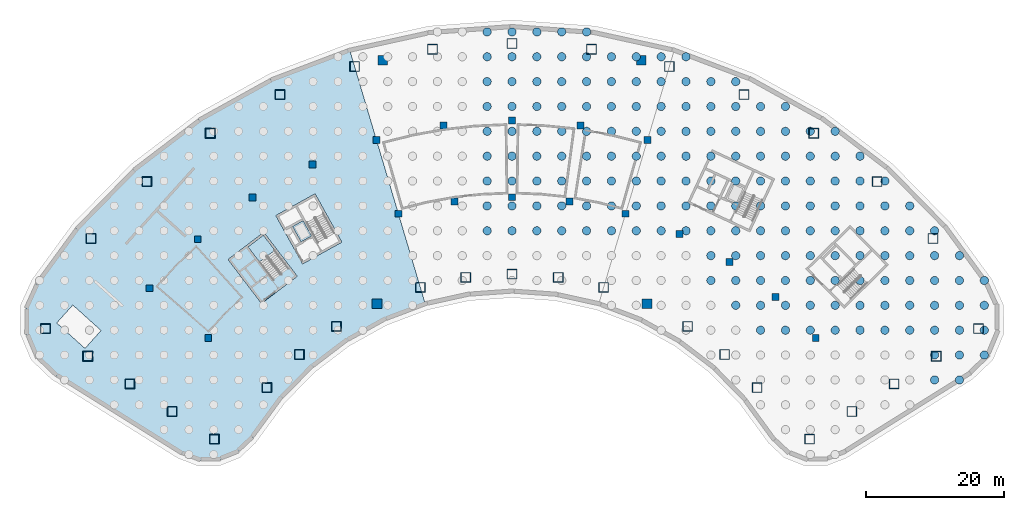
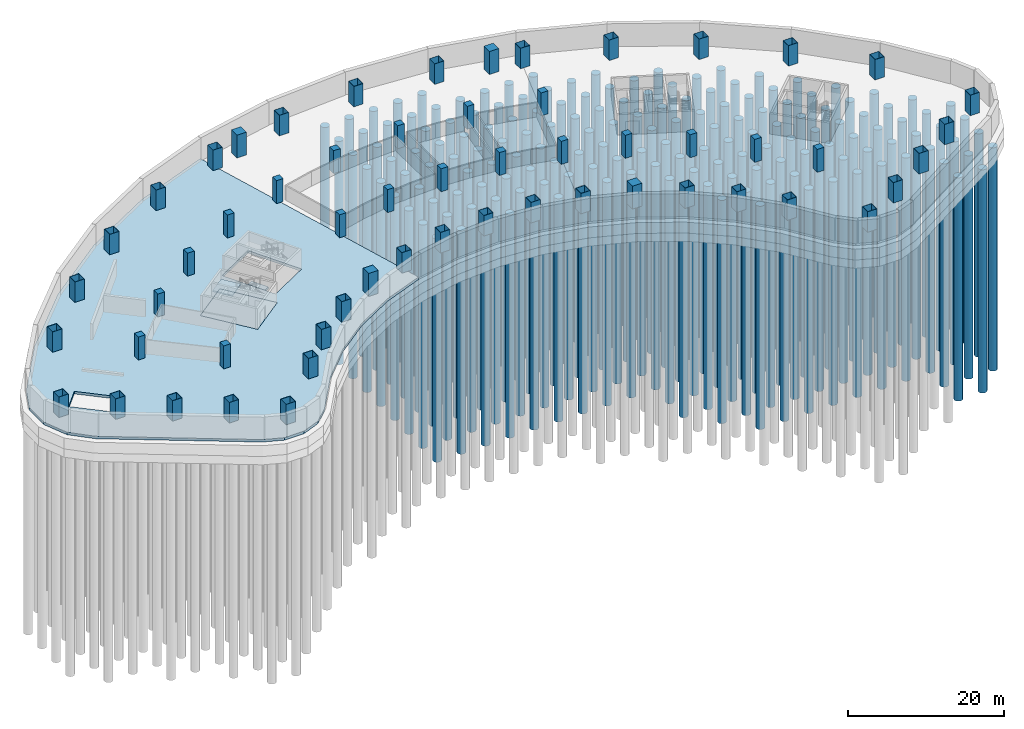
# One storey, part 2 of 10: 172 piles, 57 columns, 4 slabs, 1 element without a shape of its own.
"""IFC4 building model written with IfcOpenShell, lengths in metres."""

from ifc_helpers import new_model, si_unit, direction, frame, origin, origin_2d, place, context, subcontext, project, spatial, polyline, rectangle, hollow_rectangle, circle, outline, extrude, material, layer, layer_set, material_profile, profile_set, type_object, element, aggregate, save


model = new_model("IFC4")

# Units and contexts
model_context = context("Model", 3, precision=1e-05, world=origin(), true_north=direction((0.0, 1.0)))
body_context = subcontext(model_context, "Body", "Model", "MODEL_VIEW")
ifc_project = project(units=[si_unit("LENGTHUNIT", "METRE"), si_unit("AREAUNIT", "SQUARE_METRE"), si_unit("VOLUMEUNIT", "CUBIC_METRE"), si_unit("PLANEANGLEUNIT", "RADIAN"), si_unit("MASSUNIT", "GRAM", prefix="KILO")], contexts=[model_context])

# Site, building, storey
site_placement = place(None, origin())
site = spatial("IfcSite", under=ifc_project, at=site_placement, CompositionType="ELEMENT")
building_placement = place(site_placement, origin())
building = spatial("IfcBuilding", under=site, at=building_placement, Name="Tuul Gate Civic Tower", CompositionType="ELEMENT")
storey_placement = place(building_placement, frame((0.0, 0.0, -11.699951171875)))
storey = spatial("IfcBuildingStorey", under=building, at=storey_placement, Name="Basement 3", CompositionType="ELEMENT", Elevation=-11.699951171875)

# Piles
ifc_material_1 = material(Name="Concrete C50/60", Category="concrete")
ifc_material_profile_1 = material_profile(ifc_material_1, circle(Radius=0.60009765625, at=origin_2d()), Name="PILE1200")
ifc_profile_set_1 = profile_set([ifc_material_profile_1], Name="Concrete C50/60")
pile_type = type_object("IfcPileType", Name="STR-BORED-PILE-D1200", PredefinedType="BORED", material=ifc_profile_set_1)
for number, where, z_axis, x_axis, name in (
    (1, (-3.60009765625, -7.199951171875, -3.25), (0.0, 0.0, -1.0), (1.0, 0.0, 0.0), "B3/pile/0199"),
    (2, (-3.60009765625, -3.60009765625, -3.25), (0.0, 0.0, -1.0), (1.0, 0.0, 0.0), "B3/pile/0200"),
    (3, (-3.60009765625, 0.0, -3.25), (0.0, 0.0, -1.0), (1.0, 0.0, 0.0), "B3/pile/0201"),
    (4, (-3.60009765625, 3.60009765625, -3.25), (0.0, 0.0, -1.0), (1.0, 0.0, 0.0), "B3/pile/0202"),
    (5, (-3.60009765625, 7.199951171875, -3.25), (0.0, 0.0, -1.0), (1.0, 0.0, 0.0), "B3/pile/0203"),
    (6, (-3.60009765625, 10.800048828125, -3.25), (0.0, 0.0, -1.0), (1.0, 0.0, 0.0), "B3/pile/0204"),
    (7, (-3.60009765625, 14.39990234375, -3.25), (0.0, 0.0, -1.0), (1.0, 0.0, 0.0), "B3/pile/0205"),
    (8, (-3.60009765625, 18.0, -3.25), (0.0, 0.0, -1.0), (1.0, 0.0, 0.0), "B3/pile/0206"),
    (9, (-3.60009765625, 21.60009765625, -3.25), (0.0, 0.0, -1.0), (1.0, 0.0, 0.0), "B3/pile/0207"),
    (10, (0.0, -7.199951171875, -3.25), (0.0, 0.0, -1.0), (1.0, 0.0, 0.0), "B3/pile/0210"),
    (11, (0.0, -3.60009765625, -3.25), (0.0, 0.0, -1.0), (1.0, 0.0, 0.0), "B3/pile/0211"),
    (12, (0.0, 0.0, -3.25), (0.0, 0.0, -1.0), (1.0, 0.0, 0.0), "B3/pile/0212"),
    (13, (0.0, 3.60009765625, -3.25), (0.0, 0.0, -1.0), (1.0, 0.0, 0.0), "B3/pile/0213"),
    (14, (0.0, 7.199951171875, -3.25), (0.0, 0.0, -1.0), (1.0, 0.0, 0.0), "B3/pile/0214"),
    (15, (0.0, 10.800048828125, -3.25), (0.0, 0.0, -1.0), (1.0, 0.0, 0.0), "B3/pile/0215"),
    (16, (0.0, 14.39990234375, -3.25), (0.0, 0.0, -1.0), (1.0, 0.0, 0.0), "B3/pile/0216"),
    (17, (0.0, 18.0, -3.25), (0.0, 0.0, -1.0), (1.0, 0.0, 0.0), "B3/pile/0217"),
    (18, (0.0, 21.60009765625, -3.25), (0.0, 0.0, -1.0), (1.0, 0.0, 0.0), "B3/pile/0218"),
    (19, (3.60009765625, -7.199951171875, -3.25), (0.0, 0.0, -1.0), (1.0, 0.0, 0.0), "B3/pile/0221"),
    (20, (3.60009765625, -3.60009765625, -3.25), (0.0, 0.0, -1.0), (1.0, 0.0, 0.0), "B3/pile/0222"),
    (21, (3.60009765625, 0.0, -3.25), (0.0, 0.0, -1.0), (1.0, 0.0, 0.0), "B3/pile/0223"),
    (22, (3.60009765625, 3.60009765625, -3.25), (0.0, 0.0, -1.0), (1.0, 0.0, 0.0), "B3/pile/0224"),
    (23, (3.60009765625, 7.199951171875, -3.25), (0.0, 0.0, -1.0), (1.0, 0.0, 0.0), "B3/pile/0225"),
    (24, (3.60009765625, 10.800048828125, -3.25), (0.0, 0.0, -1.0), (1.0, 0.0, 0.0), "B3/pile/0226"),
    (25, (3.60009765625, 14.39990234375, -3.25), (0.0, 0.0, -1.0), (1.0, 0.0, 0.0), "B3/pile/0227"),
    (26, (3.60009765625, 18.0, -3.25), (0.0, 0.0, -1.0), (1.0, 0.0, 0.0), "B3/pile/0228"),
    (27, (3.60009765625, 21.60009765625, -3.25), (0.0, 0.0, -1.0), (1.0, 0.0, 0.0), "B3/pile/0229"),
    (28, (7.199951171875, -7.199951171875, -3.25), (0.0, 0.0, -1.0), (1.0, 0.0, 0.0), "B3/pile/0232"),
    (29, (7.199951171875, -3.60009765625, -3.25), (0.0, 0.0, -1.0), (1.0, 0.0, 0.0), "B3/pile/0233"),
    (30, (7.199951171875, 0.0, -3.25), (0.0, 0.0, -1.0), (1.0, 0.0, 0.0), "B3/pile/0234"),
    (31, (7.199951171875, 3.60009765625, -3.25), (0.0, 0.0, -1.0), (1.0, 0.0, 0.0), "B3/pile/0235"),
    (32, (7.199951171875, 7.199951171875, -3.25), (0.0, 0.0, -1.0), (1.0, 0.0, 0.0), "B3/pile/0236"),
    (33, (7.199951171875, 10.800048828125, -3.25), (0.0, 0.0, -1.0), (1.0, 0.0, 0.0), "B3/pile/0237"),
    (34, (7.199951171875, 14.39990234375, -3.25), (0.0, 0.0, -1.0), (1.0, 0.0, 0.0), "B3/pile/0238"),
    (35, (7.199951171875, 18.0, -3.25), (0.0, 0.0, -1.0), (1.0, 0.0, 0.0), "B3/pile/0239"),
    (36, (7.199951171875, 21.60009765625, -3.25), (0.0, 0.0, -1.0), (1.0, 0.0, 0.0), "B3/pile/0240"),
    (37, (10.800048828125, -7.199951171875, -3.25), (0.0, 0.0, -1.0), (1.0, 0.0, 0.0), "B3/pile/0243"),
    (38, (10.800048828125, -3.60009765625, -3.25), (0.0, 0.0, -1.0), (1.0, 0.0, 0.0), "B3/pile/0244"),
    (39, (10.800048828125, 0.0, -3.25), (0.0, 0.0, -1.0), (1.0, 0.0, 0.0), "B3/pile/0245"),
    (40, (10.800048828125, 3.60009765625, -3.25), (0.0, 0.0, -1.0), (1.0, 0.0, 0.0), "B3/pile/0246"),
    (41, (10.800048828125, 7.199951171875, -3.25), (0.0, 0.0, -1.0), (1.0, 0.0, 0.0), "B3/pile/0247"),
    (42, (10.800048828125, 10.800048828125, -3.25), (0.0, 0.0, -1.0), (1.0, 0.0, 0.0), "B3/pile/0248"),
    (43, (10.800048828125, 14.39990234375, -3.25), (0.0, 0.0, -1.0), (1.0, 0.0, 0.0), "B3/pile/0249"),
    (44, (10.800048828125, 18.0, -3.25), (0.0, 0.0, -1.0), (1.0, 0.0, 0.0), "B3/pile/0250"),
    (45, (10.800048828125, 21.60009765625, -3.25), (0.0, 0.0, -1.0), (1.0, 0.0, 0.0), "B3/pile/0251"),
    (46, (14.39990234375, -7.199951171875, -3.25), (0.0, 0.0, -1.0), (1.0, 0.0, 0.0), "B3/pile/0255"),
    (47, (14.39990234375, -3.60009765625, -3.25), (0.0, 0.0, -1.0), (1.0, 0.0, 0.0), "B3/pile/0256"),
    (48, (14.39990234375, 0.0, -3.25), (0.0, 0.0, -1.0), (1.0, 0.0, 0.0), "B3/pile/0257"),
    (49, (14.39990234375, 3.60009765625, -3.25), (0.0, 0.0, -1.0), (1.0, 0.0, 0.0), "B3/pile/0258"),
    (50, (14.39990234375, 7.199951171875, -3.25), (0.0, 0.0, -1.0), (1.0, 0.0, 0.0), "B3/pile/0259"),
    (51, (14.39990234375, 10.800048828125, -3.25), (0.0, 0.0, -1.0), (1.0, 0.0, 0.0), "B3/pile/0260"),
    (52, (14.39990234375, 14.39990234375, -3.25), (0.0, 0.0, -1.0), (1.0, 0.0, 0.0), "B3/pile/0261"),
    (53, (14.39990234375, 18.0, -3.25), (0.0, 0.0, -1.0), (1.0, 0.0, 0.0), "B3/pile/0262"),
    (54, (18.0, -7.199951171875, -3.25), (0.0, 0.0, -1.0), (1.0, 0.0, 0.0), "B3/pile/0266"),
    (55, (18.0, -3.60009765625, -3.25), (0.0, 0.0, -1.0), (1.0, 0.0, 0.0), "B3/pile/0267"),
    (56, (18.0, 0.0, -3.25), (0.0, 0.0, -1.0), (1.0, 0.0, 0.0), "B3/pile/0268"),
    (57, (18.0, 3.60009765625, -3.25), (0.0, 0.0, -1.0), (1.0, 0.0, 0.0), "B3/pile/0269"),
    (58, (18.0, 7.199951171875, -3.25), (0.0, 0.0, -1.0), (1.0, 0.0, 0.0), "B3/pile/0270"),
    (59, (18.0, 10.800048828125, -3.25), (0.0, 0.0, -1.0), (1.0, 0.0, 0.0), "B3/pile/0271"),
    (60, (18.0, 14.39990234375, -3.25), (0.0, 0.0, -1.0), (1.0, 0.0, 0.0), "B3/pile/0272"),
    (61, (18.0, 18.0, -3.25), (0.0, 0.0, -1.0), (1.0, 0.0, 0.0), "B3/pile/0273"),
    (62, (21.60009765625, -7.199951171875, -3.25), (0.0, 0.0, -1.0), (1.0, 0.0, 0.0), "B3/pile/0278"),
    (63, (21.60009765625, -3.60009765625, -3.25), (0.0, 0.0, -1.0), (1.0, 0.0, 0.0), "B3/pile/0279"),
    (64, (21.60009765625, 0.0, -3.25), (0.0, 0.0, -1.0), (1.0, 0.0, 0.0), "B3/pile/0280"),
    (65, (21.60009765625, 3.60009765625, -3.25), (0.0, 0.0, -1.0), (1.0, 0.0, 0.0), "B3/pile/0281"),
    (66, (21.60009765625, 7.199951171875, -3.25), (0.0, 0.0, -1.0), (1.0, 0.0, 0.0), "B3/pile/0282"),
    (67, (21.60009765625, 10.800048828125, -3.25), (0.0, 0.0, -1.0), (1.0, 0.0, 0.0), "B3/pile/0283"),
    (68, (21.60009765625, 14.39990234375, -3.25), (0.0, 0.0, -1.0), (1.0, 0.0, 0.0), "B3/pile/0284"),
    (69, (21.60009765625, 18.0, -3.25), (0.0, 0.0, -1.0), (1.0, 0.0, 0.0), "B3/pile/0285"),
    (70, (25.199951171875, -7.199951171875, -3.25), (0.0, 0.0, -1.0), (1.0, 0.0, 0.0), "B3/pile/0290"),
    (71, (25.199951171875, -3.60009765625, -3.25), (0.0, 0.0, -1.0), (1.0, 0.0, 0.0), "B3/pile/0291"),
    (72, (25.199951171875, 0.0, -3.25), (0.0, 0.0, -1.0), (1.0, 0.0, 0.0), "B3/pile/0292"),
    (73, (25.199951171875, 3.60009765625, -3.25), (0.0, 0.0, -1.0), (1.0, 0.0, 0.0), "B3/pile/0293"),
    (74, (25.199951171875, 7.199951171875, -3.25), (0.0, 0.0, -1.0), (1.0, 0.0, 0.0), "B3/pile/0294"),
    (75, (25.199951171875, 10.800048828125, -3.25), (0.0, 0.0, -1.0), (1.0, 0.0, 0.0), "B3/pile/0295"),
    (76, (25.199951171875, 14.39990234375, -3.25), (0.0, 0.0, -1.0), (1.0, 0.0, 0.0), "B3/pile/0296"),
    (77, (25.199951171875, 18.0, -3.25), (0.0, 0.0, -1.0), (1.0, 0.0, 0.0), "B3/pile/0297"),
    (78, (28.800048828125, -14.39990234375, -3.25), (0.0, 0.0, -1.0), (1.0, 0.0, 0.0), "B3/pile/0301"),
    (79, (28.800048828125, -10.800048828125, -3.25), (0.0, 0.0, -1.0), (1.0, 0.0, 0.0), "B3/pile/0302"),
    (80, (28.800048828125, -7.199951171875, -3.25), (0.0, 0.0, -1.0), (1.0, 0.0, 0.0), "B3/pile/0303"),
    (81, (28.800048828125, -3.60009765625, -3.25), (0.0, 0.0, -1.0), (1.0, 0.0, 0.0), "B3/pile/0304"),
    (82, (28.800048828125, 0.0, -3.25), (0.0, 0.0, -1.0), (1.0, 0.0, 0.0), "B3/pile/0305"),
    (83, (28.800048828125, 3.60009765625, -3.25), (0.0, 0.0, -1.0), (1.0, 0.0, 0.0), "B3/pile/0306"),
    (84, (28.800048828125, 7.199951171875, -3.25), (0.0, 0.0, -1.0), (1.0, 0.0, 0.0), "B3/pile/0307"),
    (85, (28.800048828125, 10.800048828125, -3.25), (0.0, 0.0, -1.0), (1.0, 0.0, 0.0), "B3/pile/0308"),
    (86, (28.800048828125, 14.39990234375, -3.25), (0.0, 0.0, -1.0), (1.0, 0.0, 0.0), "B3/pile/0309"),
    (87, (32.39990234375, -18.0, -3.25), (0.0, 0.0, -1.0), (1.0, 0.0, 0.0), "B3/pile/0313"),
    (88, (32.39990234375, -14.39990234375, -3.25), (0.0, 0.0, -1.0), (1.0, 0.0, 0.0), "B3/pile/0314"),
    (89, (32.39990234375, -10.800048828125, -3.25), (0.0, 0.0, -1.0), (1.0, 0.0, 0.0), "B3/pile/0315"),
    (90, (32.39990234375, -7.199951171875, -3.25), (0.0, 0.0, -1.0), (1.0, 0.0, 0.0), "B3/pile/0316"),
    (91, (32.39990234375, -3.60009765625, -3.25), (0.0, 0.0, -1.0), (1.0, 0.0, 0.0), "B3/pile/0317"),
    (92, (32.39990234375, 0.0, -3.25), (0.0, 0.0, -1.0), (1.0, 0.0, 0.0), "B3/pile/0318"),
    (93, (32.39990234375, 3.60009765625, -3.25), (0.0, 0.0, -1.0), (1.0, 0.0, 0.0), "B3/pile/0319"),
    (94, (32.39990234375, 7.199951171875, -3.25), (0.0, 0.0, -1.0), (1.0, 0.0, 0.0), "B3/pile/0320"),
    (95, (32.39990234375, 10.800048828125, -3.25), (0.0, 0.0, -1.0), (1.0, 0.0, 0.0), "B3/pile/0321"),
    (96, (32.39990234375, 14.39990234375, -3.25), (0.0, 0.0, -1.0), (1.0, 0.0, 0.0), "B3/pile/0322"),
    (97, (36.0, -21.60009765625, -3.25), (0.0, 0.0, -1.0), (1.0, 0.0, 0.0), "B3/pile/0326"),
    (98, (36.0, -18.0, -3.25), (0.0, 0.0, -1.0), (1.0, 0.0, 0.0), "B3/pile/0327"),
    (99, (36.0, -14.39990234375, -3.25), (0.0, 0.0, -1.0), (1.0, 0.0, 0.0), "B3/pile/0328"),
    (100, (36.0, -10.800048828125, -3.25), (0.0, 0.0, -1.0), (1.0, 0.0, 0.0), "B3/pile/0329"),
    (101, (36.0, -7.199951171875, -3.25), (0.0, 0.0, -1.0), (1.0, 0.0, 0.0), "B3/pile/0330"),
    (102, (36.0, -3.60009765625, -3.25), (0.0, 0.0, -1.0), (1.0, 0.0, 0.0), "B3/pile/0331"),
    (103, (36.0, 0.0, -3.25), (0.0, 0.0, -1.0), (1.0, 0.0, 0.0), "B3/pile/0332"),
    (104, (36.0, 3.60009765625, -3.25), (0.0, 0.0, -1.0), (1.0, 0.0, 0.0), "B3/pile/0333"),
    (105, (36.0, 7.199951171875, -3.25), (0.0, 0.0, -1.0), (1.0, 0.0, 0.0), "B3/pile/0334"),
    (106, (36.0, 10.800048828125, -3.25), (0.0, 0.0, -1.0), (1.0, 0.0, 0.0), "B3/pile/0335"),
    (107, (39.60009765625, -21.60009765625, -3.25), (0.0, 0.0, -1.0), (1.0, 0.0, 0.0), "B3/pile/0340"),
    (108, (39.60009765625, -18.0, -3.25), (0.0, 0.0, -1.0), (1.0, 0.0, 0.0), "B3/pile/0341"),
    (109, (39.60009765625, -14.39990234375, -3.25), (0.0, 0.0, -1.0), (1.0, 0.0, 0.0), "B3/pile/0342"),
    (110, (39.60009765625, -10.800048828125, -3.25), (0.0, 0.0, -1.0), (1.0, 0.0, 0.0), "B3/pile/0343"),
    (111, (39.60009765625, -7.199951171875, -3.25), (0.0, 0.0, -1.0), (1.0, 0.0, 0.0), "B3/pile/0344"),
    (112, (39.60009765625, -3.60009765625, -3.25), (0.0, 0.0, -1.0), (1.0, 0.0, 0.0), "B3/pile/0345"),
    (113, (39.60009765625, 0.0, -3.25), (0.0, 0.0, -1.0), (1.0, 0.0, 0.0), "B3/pile/0346"),
    (114, (39.60009765625, 3.60009765625, -3.25), (0.0, 0.0, -1.0), (1.0, 0.0, 0.0), "B3/pile/0347"),
    (115, (39.60009765625, 7.199951171875, -3.25), (0.0, 0.0, -1.0), (1.0, 0.0, 0.0), "B3/pile/0348"),
    (116, (39.60009765625, 10.800048828125, -3.25), (0.0, 0.0, -1.0), (1.0, 0.0, 0.0), "B3/pile/0349"),
    (117, (43.199951171875, -21.60009765625, -3.25), (0.0, 0.0, -1.0), (1.0, 0.0, 0.0), "B3/pile/0355"),
    (118, (43.199951171875, -18.0, -3.25), (0.0, 0.0, -1.0), (1.0, 0.0, 0.0), "B3/pile/0356"),
    (119, (43.199951171875, -14.39990234375, -3.25), (0.0, 0.0, -1.0), (1.0, 0.0, 0.0), "B3/pile/0357"),
    (120, (43.199951171875, -10.800048828125, -3.25), (0.0, 0.0, -1.0), (1.0, 0.0, 0.0), "B3/pile/0358"),
    (121, (43.199951171875, -7.199951171875, -3.25), (0.0, 0.0, -1.0), (1.0, 0.0, 0.0), "B3/pile/0359"),
    (122, (43.199951171875, -3.60009765625, -3.25), (0.0, 0.0, -1.0), (1.0, 0.0, 0.0), "B3/pile/0360"),
    (123, (43.199951171875, 0.0, -3.25), (0.0, 0.0, -1.0), (1.0, 0.0, 0.0), "B3/pile/0361"),
    (124, (43.199951171875, 3.60009765625, -3.25), (0.0, 0.0, -1.0), (1.0, 0.0, 0.0), "B3/pile/0362"),
    (125, (43.199951171875, 7.199951171875, -3.25), (0.0, 0.0, -1.0), (1.0, 0.0, 0.0), "B3/pile/0363"),
    (126, (46.800048828125, -21.60009765625, -3.25), (0.0, 0.0, -1.0), (1.0, 0.0, 0.0), "B3/pile/0369"),
    (127, (46.800048828125, -18.0, -3.25), (0.0, 0.0, -1.0), (1.0, 0.0, 0.0), "B3/pile/0370"),
    (128, (46.800048828125, -14.39990234375, -3.25), (0.0, 0.0, -1.0), (1.0, 0.0, 0.0), "B3/pile/0371"),
    (129, (46.800048828125, -10.800048828125, -3.25), (0.0, 0.0, -1.0), (1.0, 0.0, 0.0), "B3/pile/0372"),
    (130, (46.800048828125, -7.199951171875, -3.25), (0.0, 0.0, -1.0), (1.0, 0.0, 0.0), "B3/pile/0373"),
    (131, (46.800048828125, -3.60009765625, -3.25), (0.0, 0.0, -1.0), (1.0, 0.0, 0.0), "B3/pile/0374"),
    (132, (46.800048828125, 0.0, -3.25), (0.0, 0.0, -1.0), (1.0, 0.0, 0.0), "B3/pile/0375"),
    (133, (46.800048828125, 3.60009765625, -3.25), (0.0, 0.0, -1.0), (1.0, 0.0, 0.0), "B3/pile/0376"),
    (134, (46.800048828125, 7.199951171875, -3.25), (0.0, 0.0, -1.0), (1.0, 0.0, 0.0), "B3/pile/0377"),
    (135, (50.39990234375, -21.60009765625, -3.25), (0.0, 0.0, -1.0), (1.0, 0.0, 0.0), "B3/pile/0382"),
    (136, (50.39990234375, -18.0, -3.25), (0.0, 0.0, -1.0), (1.0, 0.0, 0.0), "B3/pile/0383"),
    (137, (50.39990234375, -14.39990234375, -3.25), (0.0, 0.0, -1.0), (1.0, 0.0, 0.0), "B3/pile/0384"),
    (138, (50.39990234375, -10.800048828125, -3.25), (0.0, 0.0, -1.0), (1.0, 0.0, 0.0), "B3/pile/0385"),
    (139, (50.39990234375, -7.199951171875, -3.25), (0.0, 0.0, -1.0), (1.0, 0.0, 0.0), "B3/pile/0386"),
    (140, (50.39990234375, -3.60009765625, -3.25), (0.0, 0.0, -1.0), (1.0, 0.0, 0.0), "B3/pile/0387"),
    (141, (50.39990234375, 0.0, -3.25), (0.0, 0.0, -1.0), (1.0, 0.0, 0.0), "B3/pile/0388"),
    (142, (50.39990234375, 3.60009765625, -3.25), (0.0, 0.0, -1.0), (1.0, 0.0, 0.0), "B3/pile/0389"),
    (143, (54.0, -21.60009765625, -3.25), (0.0, 0.0, -1.0), (1.0, 0.0, 0.0), "B3/pile/0393"),
    (144, (54.0, -18.0, -3.25), (0.0, 0.0, -1.0), (1.0, 0.0, 0.0), "B3/pile/0394"),
    (145, (54.0, -14.39990234375, -3.25), (0.0, 0.0, -1.0), (1.0, 0.0, 0.0), "B3/pile/0395"),
    (146, (54.0, -10.800048828125, -3.25), (0.0, 0.0, -1.0), (1.0, 0.0, 0.0), "B3/pile/0396"),
    (147, (54.0, -7.199951171875, -3.25), (0.0, 0.0, -1.0), (1.0, 0.0, 0.0), "B3/pile/0397"),
    (148, (54.0, -3.60009765625, -3.25), (0.0, 0.0, -1.0), (1.0, 0.0, 0.0), "B3/pile/0398"),
    (149, (54.0, 0.0, -3.25), (0.0, 0.0, -1.0), (1.0, 0.0, 0.0), "B3/pile/0399"),
    (150, (57.60009765625, -21.60009765625, -3.25), (0.0, 0.0, -1.0), (1.0, 0.0, 0.0), "B3/pile/0403"),
    (151, (57.60009765625, -18.0, -3.25), (0.0, 0.0, -1.0), (1.0, 0.0, 0.0), "B3/pile/0404"),
    (152, (57.60009765625, -14.39990234375, -3.25), (0.0, 0.0, -1.0), (1.0, 0.0, 0.0), "B3/pile/0405"),
    (153, (57.60009765625, -10.800048828125, -3.25), (0.0, 0.0, -1.0), (1.0, 0.0, 0.0), "B3/pile/0406"),
    (154, (57.60009765625, -7.199951171875, -3.25), (0.0, 0.0, -1.0), (1.0, 0.0, 0.0), "B3/pile/0407"),
    (155, (57.60009765625, -3.60009765625, -3.25), (0.0, 0.0, -1.0), (1.0, 0.0, 0.0), "B3/pile/0408"),
    (156, (61.199951171875, -28.800048828125, -3.25), (0.0, 0.0, -1.0), (1.0, 0.0, 0.0), "B3/pile/0409"),
    (157, (61.199951171875, -25.199951171875, -3.25), (0.0, 0.0, -1.0), (1.0, 0.0, 0.0), "B3/pile/0410"),
    (158, (61.199951171875, -21.60009765625, -3.25), (0.0, 0.0, -1.0), (1.0, 0.0, 0.0), "B3/pile/0411"),
    (159, (61.199951171875, -18.0, -3.25), (0.0, 0.0, -1.0), (1.0, 0.0, 0.0), "B3/pile/0412"),
    (160, (61.199951171875, -14.39990234375, -3.25), (0.0, 0.0, -1.0), (1.0, 0.0, 0.0), "B3/pile/0413"),
    (161, (61.199951171875, -10.800048828125, -3.25), (0.0, 0.0, -1.0), (1.0, 0.0, 0.0), "B3/pile/0414"),
    (162, (61.199951171875, -7.199951171875, -3.25), (0.0, 0.0, -1.0), (1.0, 0.0, 0.0), "B3/pile/0415"),
    (163, (64.800048828125, -28.800048828125, -3.25), (0.0, 0.0, -1.0), (1.0, 0.0, 0.0), "B3/pile/0416"),
    (164, (64.800048828125, -25.199951171875, -3.25), (0.0, 0.0, -1.0), (1.0, 0.0, 0.0), "B3/pile/0417"),
    (165, (64.800048828125, -21.60009765625, -3.25), (0.0, 0.0, -1.0), (1.0, 0.0, 0.0), "B3/pile/0418"),
    (166, (64.800048828125, -18.0, -3.25), (0.0, 0.0, -1.0), (1.0, 0.0, 0.0), "B3/pile/0419"),
    (167, (64.800048828125, -14.39990234375, -3.25), (0.0, 0.0, -1.0), (1.0, 0.0, 0.0), "B3/pile/0420"),
    (168, (64.800048828125, -10.800048828125, -3.25), (0.0, 0.0, -1.0), (1.0, 0.0, 0.0), "B3/pile/0421"),
    (169, (68.39990234375, -25.199951171875, -3.25), (0.0, 0.0, -1.0), (1.0, 0.0, 0.0), "B3/pile/0422"),
    (170, (68.39990234375, -21.60009765625, -3.25), (0.0, 0.0, -1.0), (1.0, 0.0, 0.0), "B3/pile/0423"),
    (171, (68.39990234375, -18.0, -3.25), (0.0, 0.0, -1.0), (1.0, 0.0, 0.0), "B3/pile/0424"),
    (172, (68.39990234375, -14.39990234375, -3.25), (0.0, 0.0, -1.0), (1.0, 0.0, 0.0), "B3/pile/0425"),
):
    element("IfcPile", number, at=place(storey_placement, frame(where, z_axis=z_axis, x_axis=x_axis)), inside=storey, type_object=pile_type, Name=name, PredefinedType="BORED", context=body_context, shape_type="SweptSolid", body=[
        extrude(circle(Radius=0.60009765625, at=origin_2d()), origin(), (0.0, 0.0, 1.0), 35.0),
    ])

# Columns
ifc_material_2 = material(Name="Steel S355", Category="steel")
ifc_material_profile_2 = material_profile(ifc_material_2, hollow_rectangle(XDim=1.39990234375, YDim=1.39990234375, WallThickness=0.0400390625, at=origin_2d()), Name="BOX1400x1400x40")
ifc_profile_set_2 = profile_set([ifc_material_profile_2], Name="Steel S355")
column_type_1 = type_object("IfcColumnType", Name="STR-COLUMN-BOX1400x1400x40", PredefinedType="COLUMN", material=ifc_profile_set_2)
for number, where, z_axis, x_axis, name in (
    (173, (67.56201171875, -21.366943359375, 0.0), (0.0, 0.0, 1.0), (1.0, 0.0, 0.0), "Column"),
    (174, (60.9609375, -8.327880859375, 0.0), (0.0, 0.0, 1.0), (1.0, 0.0, 0.0), "Column"),
    (175, (52.8779296875, -0.08203125, 0.0), (0.0, 0.0, 1.0), (1.0, 0.0, 0.0), "Column"),
    (176, (43.69091796875, 6.9130859375, 0.0), (0.0, 0.0, 1.0), (1.0, 0.0, 0.0), "Column"),
    (177, (33.592041015625, 12.510986328125, 0.0), (0.0, 0.0, 1.0), (1.0, 0.0, 0.0), "Column"),
    (178, (22.7919921875, 16.594970703125, 0.0), (0.0, 0.0, 1.0), (1.0, 0.0, 0.0), "Column"),
    (179, (11.51611328125, 19.080078125, 0.0), (0.0, 0.0, 1.0), (1.0, 0.0, 0.0), "Column"),
    (180, (0.0, 19.9140625, 0.0), (0.0, 0.0, 1.0), (1.0, 0.0, 0.0), "Column"),
    (181, (-11.51611328125, 19.080078125, 0.0), (0.0, 0.0, 1.0), (1.0, 0.0, 0.0), "Column"),
    (182, (-22.7919921875, 16.594970703125, 0.0), (0.0, 0.0, 1.0), (1.0, 0.0, 0.0), "Column"),
    (183, (-33.592041015625, 12.510986328125, 0.0), (0.0, 0.0, 1.0), (1.0, 0.0, 0.0), "Column"),
    (184, (-43.69091796875, 6.9130859375, 0.0), (0.0, 0.0, 1.0), (1.0, 0.0, 0.0), "Column"),
    (185, (-52.8779296875, -0.08203125, 0.0), (0.0, 0.0, 1.0), (1.0, 0.0, 0.0), "Column"),
    (186, (-60.9609375, -8.327880859375, 0.0), (0.0, 0.0, 1.0), (1.0, 0.0, 0.0), "Column"),
    (187, (-67.56201171875, -21.366943359375, 0.0), (0.0, 0.0, 1.0), (1.0, 0.0, 0.0), "Column"),
    (188, (-61.447021484375, -25.368896484375, 0.0), (0.0, 0.0, 1.0), (1.0, 0.0, 0.0), "Column"),
    (189, (-55.33203125, -29.37109375, 0.0), (0.0, 0.0, 1.0), (1.0, 0.0, 0.0), "Column"),
    (190, (-49.218017578125, -33.3720703125, 0.0), (0.0, 0.0, 1.0), (1.0, 0.0, 0.0), "Column"),
    (191, (-43.10302734375, -37.3740234375, 0.0), (0.0, 0.0, 1.0), (1.0, 0.0, 0.0), "Column"),
    (192, (-35.491943359375, -29.916015625, 0.0), (0.0, 0.0, 1.0), (1.0, 0.0, 0.0), "Column"),
    (193, (-30.785888671875, -25.114990234375, 0.0), (0.0, 0.0, 1.0), (1.0, 0.0, 0.0), "Column"),
    (194, (-25.43798828125, -21.04296875, 0.0), (0.0, 0.0, 1.0), (1.0, 0.0, 0.0), "Column"),
    (195, (-13.27001953125, -15.406005859375, 0.0), (0.0, 0.0, 1.0), (1.0, 0.0, 0.0), "Column"),
    (196, (-6.705078125, -13.958984375, 0.0), (0.0, 0.0, 1.0), (1.0, 0.0, 0.0), "Column"),
    (197, (0.0, -13.472900390625, 0.0), (0.0, 0.0, 1.0), (1.0, 0.0, 0.0), "Column"),
    (198, (6.705078125, -13.958984375, 0.0), (0.0, 0.0, 1.0), (1.0, 0.0, 0.0), "Column"),
    (199, (13.27001953125, -15.406005859375, 0.0), (0.0, 0.0, 1.0), (1.0, 0.0, 0.0), "Column"),
    (200, (25.43798828125, -21.04296875, 0.0), (0.0, 0.0, 1.0), (1.0, 0.0, 0.0), "Column"),
    (201, (30.785888671875, -25.114990234375, 0.0), (0.0, 0.0, 1.0), (1.0, 0.0, 0.0), "Column"),
    (202, (35.491943359375, -29.916015625, 0.0), (0.0, 0.0, 1.0), (1.0, 0.0, 0.0), "Column"),
    (203, (43.10302734375, -37.3740234375, 0.0), (0.0, 0.0, 1.0), (1.0, 0.0, 0.0), "Column"),
    (204, (49.218017578125, -33.3720703125, 0.0), (0.0, 0.0, 1.0), (1.0, 0.0, 0.0), "Column"),
    (205, (55.33203125, -29.37109375, 0.0), (0.0, 0.0, 1.0), (1.0, 0.0, 0.0), "Column"),
    (206, (61.447021484375, -25.368896484375, 0.0), (0.0, 0.0, 1.0), (1.0, 0.0, 0.0), "Column"),
):
    element("IfcColumn", number, at=place(storey_placement, frame(where, z_axis=z_axis, x_axis=x_axis)), inside=storey, type_object=column_type_1, Name=name, PredefinedType="COLUMN", context=body_context, shape_type="SweptSolid", body=[
        extrude(hollow_rectangle(XDim=1.39990234375, YDim=1.39990234375, WallThickness=0.0400390625, at=origin_2d()), origin(), (0.0, 0.0, 1.0), 3.199951171875),
    ])
ifc_material_3 = material(Name="Concrete C60/75", Category="concrete")
ifc_material_profile_3 = material_profile(ifc_material_3, rectangle(XDim=1.0, YDim=1.0, at=origin_2d()), Name="RC1000x1000")
ifc_profile_set_3 = profile_set([ifc_material_profile_3], Name="Concrete C60/75")
column_type_2 = type_object("IfcColumnType", Name="STR-COLUMN-RC1000x1000", PredefinedType="COLUMN", material=ifc_profile_set_3)
for number, where, z_axis, x_axis, name in (
    (207, (-52.471435546875, -15.52392578125, 0.0), (0.0, 0.0, 1.0), (1.0, 0.0, 0.0), "Interior column"),
    (208, (-45.513916015625, -8.42626953125, 0.0), (0.0, 0.0, 1.0), (1.0, 0.0, 0.0), "Interior column"),
    (209, (-37.606689453125, -2.40576171875, 0.0), (0.0, 0.0, 1.0), (1.0, 0.0, 0.0), "Interior column"),
    (210, (-28.9140625, 2.4130859375, 0.0), (0.0, 0.0, 1.0), (1.0, 0.0, 0.0), "Interior column"),
    (211, (-19.617919921875, 5.927978515625, 0.0), (0.0, 0.0, 1.0), (1.0, 0.0, 0.0), "Interior column"),
    (212, (-9.912353515625, 8.06689453125, 0.0), (0.0, 0.0, 1.0), (1.0, 0.0, 0.0), "Interior column"),
    (213, (0.0, 8.784912109375, 0.0), (0.0, 0.0, 1.0), (1.0, 0.0, 0.0), "Interior column"),
    (214, (9.912353515625, 8.06689453125, 0.0), (0.0, 0.0, 1.0), (1.0, 0.0, 0.0), "Interior column"),
    (215, (19.617919921875, 5.927978515625, 0.0), (0.0, 0.0, 1.0), (1.0, 0.0, 0.0), "Interior column"),
    (216, (-43.981689453125, -22.719970703125, 0.0), (0.0, 0.0, 1.0), (1.0, 0.0, 0.0), "Interior column"),
    (217, (-16.444091796875, -4.739013671875, 0.0), (0.0, 0.0, 1.0), (1.0, 0.0, 0.0), "Interior column"),
    (218, (-8.30859375, -2.946044921875, 0.0), (0.0, 0.0, 1.0), (1.0, 0.0, 0.0), "Interior column"),
    (219, (0.0, -2.343994140625, 0.0), (0.0, 0.0, 1.0), (1.0, 0.0, 0.0), "Interior column"),
    (220, (8.30859375, -2.946044921875, 0.0), (0.0, 0.0, 1.0), (1.0, 0.0, 0.0), "Interior column"),
    (221, (16.444091796875, -4.739013671875, 0.0), (0.0, 0.0, 1.0), (1.0, 0.0, 0.0), "Interior column"),
    (222, (24.236083984375, -7.68505859375, 0.0), (0.0, 0.0, 1.0), (1.0, 0.0, 0.0), "Interior column"),
    (223, (31.522216796875, -11.724365234375, 0.0), (0.0, 0.0, 1.0), (1.0, 0.0, 0.0), "Interior column"),
    (224, (38.14990234375, -16.770751953125, 0.0), (0.0, 0.0, 1.0), (1.0, 0.0, 0.0), "Interior column"),
    (225, (43.981689453125, -22.719970703125, 0.0), (0.0, 0.0, 1.0), (1.0, 0.0, 0.0), "Interior column"),
):
    element("IfcColumn", number, at=place(storey_placement, frame(where, z_axis=z_axis, x_axis=x_axis)), inside=storey, type_object=column_type_2, Name=name, PredefinedType="COLUMN", context=body_context, shape_type="SweptSolid", body=[
        extrude(rectangle(XDim=1.0, YDim=1.0, at=origin_2d()), origin(), (0.0, 0.0, 1.0), 3.599853515625),
    ])
ifc_material_4 = material(Name="Concrete C60/75", Category="concrete")
ifc_material_profile_4 = material_profile(ifc_material_4, rectangle(XDim=1.39990234375, YDim=1.39990234375, at=origin_2d()), Name="RC1400x1400")
ifc_profile_set_4 = profile_set([ifc_material_profile_4], Name="Concrete C60/75")
column_type_3 = type_object("IfcColumnType", Name="STR-COLUMN-RC1400x1400", PredefinedType="COLUMN", material=ifc_profile_set_4)
for number, where, z_axis, x_axis, name in (
    (226, (-18.699951171875, 17.496826171875, 0.0), (0.0, 0.0, 1.0), (1.0, 0.0, 0.0), "Arch jamb column"),
    (227, (-19.55810546875, -17.782958984375, 0.0), (0.0, 0.0, 1.0), (1.0, 0.0, 0.0), "Arch jamb column"),
    (228, (18.699951171875, 17.496826171875, 0.0), (0.0, 0.0, 1.0), (1.0, 0.0, 0.0), "Arch jamb column"),
    (229, (19.55810546875, -17.782958984375, 0.0), (0.0, 0.0, 1.0), (1.0, 0.0, 0.0), "Arch jamb column"),
):
    element("IfcColumn", number, at=place(storey_placement, frame(where, z_axis=z_axis, x_axis=x_axis)), inside=storey, type_object=column_type_3, Name=name, PredefinedType="COLUMN", context=body_context, shape_type="SweptSolid", body=[
        extrude(rectangle(XDim=1.39990234375, YDim=1.39990234375, at=origin_2d()), origin(), (0.0, 0.0, 1.0), 3.599853515625),
    ])

# Slab
ifc_material_5 = material(Name="Concrete C40/50", Category="concrete")
ifc_layer_1 = layer(ifc_material_5, 0.39990234375)
ifc_layer_set_1 = layer_set([ifc_layer_1], Name="Concrete C40/50")
slab_type_1 = type_object("IfcSlabType", Name="Core floor slab 400", PredefinedType="FLOOR", material=ifc_layer_set_1)
slab_1_placement = place(storey_placement, frame((0.0, 0.0, -0.400146484375)))
element("IfcSlab", 230, at=slab_1_placement, inside=storey, type_object=slab_type_1, Name="FLOOR SLAB", PredefinedType="FLOOR", context=body_context, shape_type="SweptSolid", body=[
    extrude(outline(polyline([(-31.10009765625, -13.7890625), (-35.946044921875, -7.423828125), (-41.11767578125, -11.361572265625), (-36.271484375, -17.726806640625), (-31.10009765625, -13.7890625)])), origin(), (0.0, 0.0, 1.0), 0.400146484375),
])

# Stair, slab
ifc_material_6 = material(Name="Concrete C40/50", Category="concrete")
stair_type = type_object("IfcStairType", Name="Exit stair", PredefinedType="HALF_TURN_STAIR", material=ifc_material_6)
stair_placement = place(storey_placement, origin())
stair = element("IfcStair", 231, at=stair_placement, inside=storey, type_object=stair_type, Name="Basement 3 ST-1", PredefinedType="HALF_TURN_STAIR")
ifc_material_7 = material(Name="Concrete C40/50", Category="concrete")
ifc_layer_2 = layer(ifc_material_7, 0.199951171875)
ifc_layer_set_2 = layer_set([ifc_layer_2], Name="Concrete C40/50")
slab_type_2 = type_object("IfcSlabType", Name="Exit stair landing", PredefinedType="LANDING", material=ifc_layer_set_2)
slab_2_placement = place(storey_placement, frame((0.0, 0.0, 1.599853515625)))
slab_2 = element("IfcSlab", 232, at=slab_2_placement, type_object=slab_type_2, Name="ST-1 landing 1", PredefinedType="LANDING", context=body_context, shape_type="SweptSolid", body=[
    extrude(outline(polyline([(-34.336181640625, -10.032470703125), (-36.565185546875, -11.7294921875), (-38.23193359375, -9.540283203125), (-36.0029296875, -7.843017578125), (-34.336181640625, -10.032470703125)])), origin(), (0.0, 0.0, 1.0), 0.2001953125),
])
aggregate(stair, [slab_2])

# Slabs
ifc_material_8 = material(Name="Concrete C40/50", Category="concrete")
ifc_layer_3 = layer(ifc_material_8, 0.300048828125)
ifc_layer_set_3 = layer_set([ifc_layer_3], Name="Concrete C40/50")
slab_type_3 = type_object("IfcSlabType", Name="Lift pit floor", PredefinedType="USERDEFINED", material=ifc_layer_set_3)
slab_3_placement = place(storey_placement, frame((0.0, 0.0, -2.10009765625)))
element("IfcSlab", 233, at=slab_3_placement, inside=storey, type_object=slab_type_3, Name="Lift pit floor FF-1", ObjectType="LIFT PIT FLOOR", PredefinedType="USERDEFINED", context=body_context, shape_type="SweptSolid", body=[
    extrude(outline(polyline([(-29.0185546875, -7.958740234375), (-30.254638671875, -5.728515625), (-31.785400390625, -6.576904296875), (-30.54931640625, -8.80712890625), (-29.0185546875, -7.958740234375)])), origin(), (0.0, 0.0, 1.0), 0.300048828125),
])
ifc_material_9 = material(Name="Concrete C35/45", Category="concrete")
ifc_layer_4 = layer(ifc_material_9, 0.39990234375)
ifc_layer_set_4 = layer_set([ifc_layer_4], Name="Concrete C35/45")
slab_type_4 = type_object("IfcSlabType", Name="STR-BASE-SLAB-400", PredefinedType="BASESLAB", material=ifc_layer_set_4)
slab_4_placement = place(storey_placement, frame((0.0, 0.0, -0.400146484375)))
element("IfcSlab", 234, at=slab_4_placement, inside=storey, type_object=slab_type_4, Name="Basement 3/slab/W", PredefinedType="BASESLAB", context=body_context, shape_type="SweptSolid", body=[
    extrude(outline(polyline([(-18.4619140625, -20.14892578125), (-12.52587890625, -17.904052734375), (-23.535888671875, 19.093017578125), (-34.68798828125, 14.8759765625), (-45.116943359375, 9.095947265625), (-54.60302734375, 1.873046875), (-62.948974609375, -6.64208984375), (-68.8310546875, -14.695068359375), (-70.39208984375, -18.14111328125), (-70.447998046875, -21.924072265625), (-68.988037109375, -25.4150390625), (-66.256103515625, -28.031982421875), (-48.069091796875, -39.39697265625), (-45.388916015625, -40.43994140625), (-42.512939453125, -40.429931640625), (-39.840087890625, -39.367919921875), (-37.739990234375, -37.402099609375), (-33.50390625, -31.60107421875), (-29.06103515625, -27.070068359375), (-24.011962890625, -23.22509765625), (-18.4619140625, -20.14892578125)]), holes=[polyline([(-61.843994140625, -24.23095703125), (-65.930908203125, -20.551025390625), (-63.60205078125, -17.965087890625), (-59.514892578125, -21.64501953125), (-61.843994140625, -24.23095703125)]), polyline([(-31.10009765625, -13.7890625), (-36.27197265625, -17.72705078125), (-41.117919921875, -11.362060546875), (-35.946044921875, -7.424072265625), (-31.10009765625, -13.7890625)]), polyline([(-30.323974609375, -11.998046875), (-34.201904296875, -5.0009765625), (-28.51708984375, -1.85009765625), (-24.638916015625, -8.846923828125), (-30.323974609375, -11.998046875)])]), origin(), (0.0, 0.0, 1.0), 0.400146484375),
])

save(model, "model.ifc")
